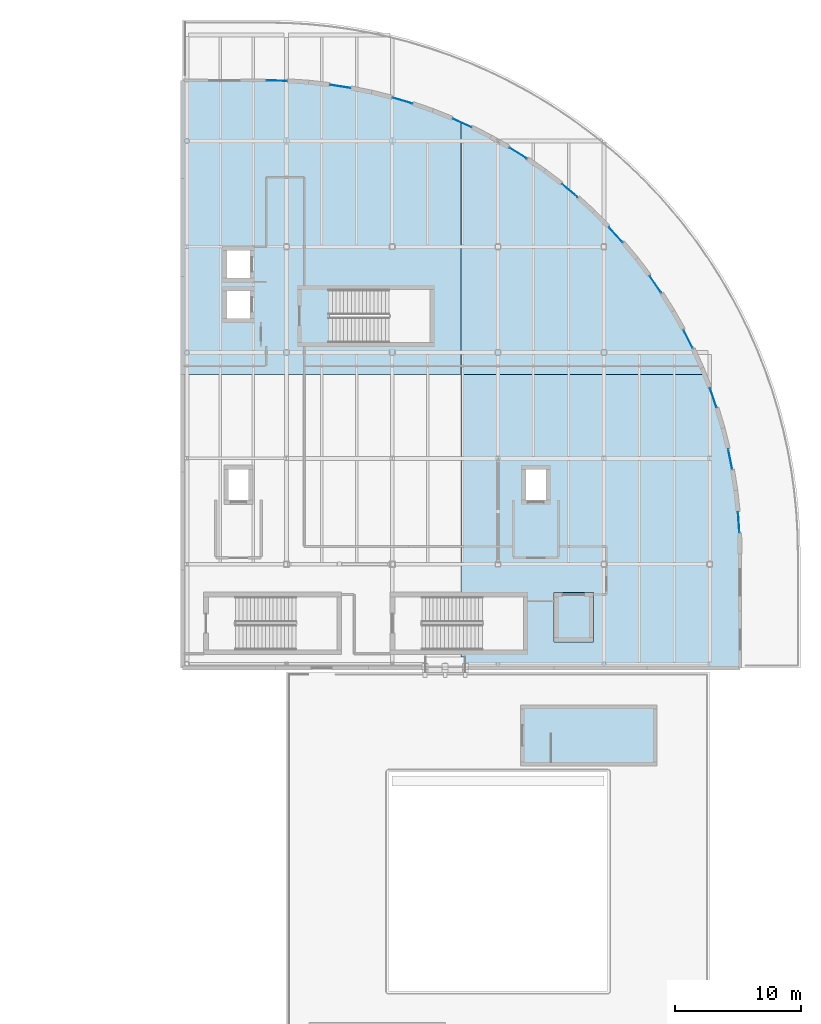
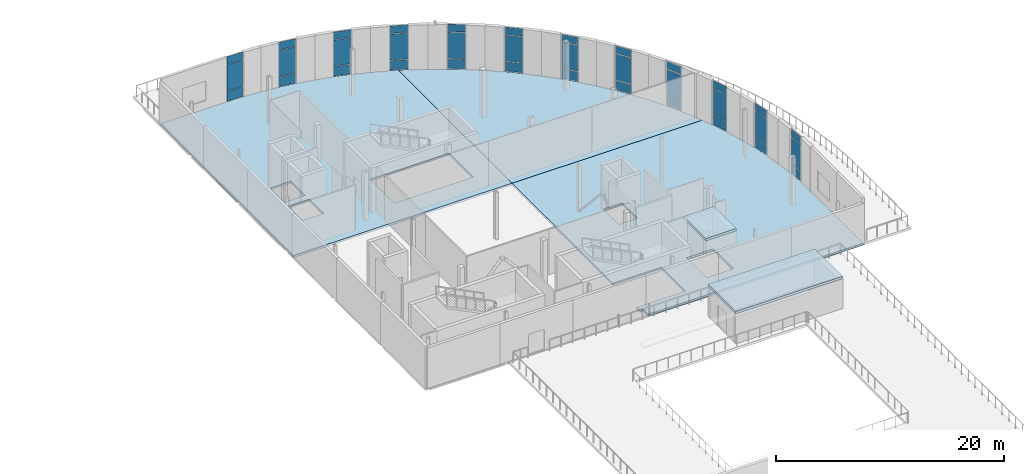
# One storey, part 31 of 57: 36 plates, 5 slabs, 12 elements without a shape of their own.
"""IFC4 building model written with IfcOpenShell, lengths in metres."""

from ifc_helpers import new_model, si_unit, direction, frame, origin, origin_2d, place, context, subcontext, project, spatial, polyline, rectangle, outline, extrude, material, layer, layer_set, type_object, element, aggregate, save


model = new_model("IFC4")

# Units and contexts
model_context = context("Model", 3, precision=1e-05, world=origin(), true_north=direction((0.0, 1.0)))
body_context = subcontext(model_context, "Body", "Model", "MODEL_VIEW")
ifc_project = project(units=[si_unit("LENGTHUNIT", "METRE"), si_unit("AREAUNIT", "SQUARE_METRE"), si_unit("VOLUMEUNIT", "CUBIC_METRE"), si_unit("PLANEANGLEUNIT", "RADIAN"), si_unit("MASSUNIT", "GRAM", prefix="KILO"), si_unit("THERMODYNAMICTEMPERATUREUNIT", "KELVIN")], contexts=[model_context])

# Site, building, storey
site_placement = place(None, origin())
site = spatial("IfcSite", under=ifc_project, at=site_placement, CompositionType="ELEMENT")
building_placement = place(site_placement, origin())
building = spatial("IfcBuilding", under=site, at=building_placement, Name="Lustrewick Department Store", CompositionType="ELEMENT")
storey_placement = place(building_placement, frame((0.0, 0.0, 26.699951171875)))
storey = spatial("IfcBuildingStorey", under=building, at=storey_placement, Name="L06", CompositionType="ELEMENT", Elevation=26.699951171875)

# Curtain wall, plates
ifc_material_1 = material(Name="Thermally broken aluminium 6063-T5", Category="aluminium")
ifc_layer_1 = layer(ifc_material_1, 0.199951171875, Name="Thermally broken aluminium 6063-T5")
ifc_layer_set_1 = layer_set([ifc_layer_1], Name="Thermally broken aluminium 6063-T5")
curtain_wall_type_1 = type_object("IfcCurtainWallType", Name="CW01", PredefinedType="NOTDEFINED", material=ifc_layer_set_1)
curtain_wall_1_placement = place(storey_placement, origin())
curtain_wall_1 = element("IfcCurtainWall", 1, at=curtain_wall_1_placement, inside=storey, type_object=curtain_wall_type_1, Name="L06 V4 Curtain Wall CW01", PredefinedType="NOTDEFINED")
ifc_material_2 = material(Name="Low-E laminated safety glass", Category="glass")
ifc_layer_2 = layer(ifc_material_2, 0.02392578125, Name="Low-E laminated safety glass")
ifc_layer_set_2 = layer_set([ifc_layer_2], Name="Low-E laminated safety glass")
plate_type_1 = type_object("IfcPlateType", Name="CP01", PredefinedType="CURTAIN_PANEL", material=ifc_layer_set_2)
plate_1_placement = place(storey_placement, frame((149.493408203125, 76.665771484375, 0.070068359375), z_axis=(0.0, 0.0, 1.0), x_axis=(-0.45395685334, 0.891023667085, 0.0)))
plate_1 = element("IfcPlate", 2, at=plate_1_placement, type_object=plate_type_1, Name="CW01 panel 1.1", PredefinedType="CURTAIN_PANEL", context=body_context, shape_type="SweptSolid", body=[
    extrude(rectangle(XDim=1.54736328125, YDim=0.02392578125, at=origin_2d()), origin(), (0.0, 0.0, 1.0), 0.9951171875),
])
plate_2_placement = place(storey_placement, frame((149.493408203125, 76.665771484375, 1.135009765625), z_axis=(0.0, 0.0, 1.0), x_axis=(-0.45395685334, 0.891023667085, 0.0)))
plate_2 = element("IfcPlate", 3, at=plate_2_placement, type_object=plate_type_1, Name="CW01 panel 1.2", PredefinedType="CURTAIN_PANEL", context=body_context, shape_type="SweptSolid", body=[
    extrude(rectangle(XDim=1.54736328125, YDim=0.02392578125, at=origin_2d()), origin(), (0.0, 0.0, 1.0), 2.77490234375),
])
plate_3_placement = place(storey_placement, frame((149.493408203125, 76.665771484375, 3.97998046875), z_axis=(0.0, 0.0, 1.0), x_axis=(-0.45395685334, 0.891023667085, 0.0)))
plate_3 = element("IfcPlate", 4, at=plate_3_placement, type_object=plate_type_1, Name="CW01 panel 1.3", PredefinedType="CURTAIN_PANEL", context=body_context, shape_type="SweptSolid", body=[
    extrude(rectangle(XDim=1.54736328125, YDim=0.02392578125, at=origin_2d()), origin(), (0.0, 0.0, 1.0), 0.794921875),
])
aggregate(curtain_wall_1, [plate_1, plate_2, plate_3])

ifc_layer_3 = layer(ifc_material_1, 0.139892578125, Name="Thermally broken aluminium 6063-T5")
ifc_layer_set_3 = layer_set([ifc_layer_3], Name="Thermally broken aluminium 6063-T5")
curtain_wall_type_2 = type_object("IfcCurtainWallType", Name="CW06", PredefinedType="NOTDEFINED", material=ifc_layer_set_3)
curtain_wall_2_placement = place(storey_placement, origin())
curtain_wall_2 = element("IfcCurtainWall", 5, at=curtain_wall_2_placement, inside=storey, type_object=curtain_wall_type_2, Name="L06 V4 Curtain Wall CW06", PredefinedType="NOTDEFINED")
plate_4_placement = place(storey_placement, frame((131.5458984375, 93.8251953125, 0.054931640625), z_axis=(0.0, 0.0, 1.0), x_axis=(-0.910482129642, 0.413548415065, 0.0)))
plate_4 = element("IfcPlate", 6, at=plate_4_placement, type_object=plate_type_1, Name="CW06 panel 1.1", PredefinedType="CURTAIN_PANEL", context=body_context, shape_type="SweptSolid", body=[
    extrude(rectangle(XDim=1.577392578125, YDim=0.02392578125, at=origin_2d()), origin(), (0.0, 0.0, 1.0), 1.017578125),
])
plate_5_placement = place(storey_placement, frame((131.5458984375, 93.8251953125, 1.12744140625), z_axis=(0.0, 0.0, 1.0), x_axis=(-0.910482129642, 0.413548415065, 0.0)))
plate_5 = element("IfcPlate", 7, at=plate_5_placement, type_object=plate_type_1, Name="CW06 panel 1.2", PredefinedType="CURTAIN_PANEL", context=body_context, shape_type="SweptSolid", body=[
    extrude(rectangle(XDim=1.577392578125, YDim=0.02392578125, at=origin_2d()), origin(), (0.0, 0.0, 1.0), 2.7900390625),
])
plate_6_placement = place(storey_placement, frame((131.5458984375, 93.8251953125, 3.97265625), z_axis=(0.0, 0.0, 1.0), x_axis=(-0.910482129642, 0.413548415065, 0.0)))
plate_6 = element("IfcPlate", 8, at=plate_6_placement, type_object=plate_type_1, Name="CW06 panel 1.3", PredefinedType="CURTAIN_PANEL", context=body_context, shape_type="SweptSolid", body=[
    extrude(rectangle(XDim=1.577392578125, YDim=0.02392578125, at=origin_2d()), origin(), (0.0, 0.0, 1.0), 0.8173828125),
])
aggregate(curtain_wall_2, [plate_4, plate_5, plate_6])

ifc_layer_4 = layer(ifc_material_1, 0.179931640625, Name="Thermally broken aluminium 6063-T5")
ifc_layer_set_4 = layer_set([ifc_layer_4], Name="Thermally broken aluminium 6063-T5")
curtain_wall_type_3 = type_object("IfcCurtainWallType", Name="CW02", PredefinedType="NOTDEFINED", material=ifc_layer_set_4)
curtain_wall_3_placement = place(storey_placement, origin())
curtain_wall_3 = element("IfcCurtainWall", 9, at=curtain_wall_3_placement, inside=storey, type_object=curtain_wall_type_3, Name="L06 V4 Curtain Wall CW02", PredefinedType="NOTDEFINED")
ifc_layer_5 = layer(ifc_material_2, 0.02587890625, Name="Low-E laminated safety glass")
ifc_layer_set_5 = layer_set([ifc_layer_5], Name="Low-E laminated safety glass")
plate_type_2 = type_object("IfcPlateType", Name="CP02", PredefinedType="CURTAIN_PANEL", material=ifc_layer_set_5)
plate_7_placement = place(storey_placement, frame((146.8994140625, 81.007080078125, 0.065185546875), z_axis=(0.0, 0.0, 1.0), x_axis=(-0.569518106815, 0.821978786837, 0.0)))
plate_7 = element("IfcPlate", 10, at=plate_7_placement, type_object=plate_type_2, Name="CW02 panel 1.1", PredefinedType="CURTAIN_PANEL", context=body_context, shape_type="SweptSolid", body=[
    extrude(rectangle(XDim=1.557373046875, YDim=0.02587890625, at=origin_2d()), origin(), (0.0, 0.0, 1.0), 1.00244140625),
])
plate_8_placement = place(storey_placement, frame((146.8994140625, 81.007080078125, 1.13232421875), z_axis=(0.0, 0.0, 1.0), x_axis=(-0.569518106815, 0.821978786837, 0.0)))
plate_8 = element("IfcPlate", 11, at=plate_8_placement, type_object=plate_type_2, Name="CW02 panel 1.2", PredefinedType="CURTAIN_PANEL", context=body_context, shape_type="SweptSolid", body=[
    extrude(rectangle(XDim=1.557373046875, YDim=0.02587890625, at=origin_2d()), origin(), (0.0, 0.0, 1.0), 2.780029296875),
])
plate_9_placement = place(storey_placement, frame((146.8994140625, 81.007080078125, 3.9775390625), z_axis=(0.0, 0.0, 1.0), x_axis=(-0.569518106815, 0.821978786837, 0.0)))
plate_9 = element("IfcPlate", 12, at=plate_9_placement, type_object=plate_type_2, Name="CW02 panel 1.3", PredefinedType="CURTAIN_PANEL", context=body_context, shape_type="SweptSolid", body=[
    extrude(rectangle(XDim=1.557373046875, YDim=0.02587890625, at=origin_2d()), origin(), (0.0, 0.0, 1.0), 0.802490234375),
])
aggregate(curtain_wall_3, [plate_7, plate_8, plate_9])

ifc_layer_6 = layer(ifc_material_1, 0.1298828125, Name="Thermally broken aluminium 6063-T5")
ifc_layer_set_6 = layer_set([ifc_layer_6], Name="Thermally broken aluminium 6063-T5")
curtain_wall_type_4 = type_object("IfcCurtainWallType", Name="CW07", PredefinedType="NOTDEFINED", material=ifc_layer_set_6)
curtain_wall_4_placement = place(storey_placement, origin())
curtain_wall_4 = element("IfcCurtainWall", 13, at=curtain_wall_4_placement, inside=storey, type_object=curtain_wall_type_4, Name="L06 V4 Curtain Wall CW07", PredefinedType="NOTDEFINED")
plate_10_placement = place(storey_placement, frame((126.81103515625, 95.602294921875, 0.054931640625), z_axis=(0.0, 0.0, 1.0), x_axis=(-0.957744687401, 0.287619738117, 0.0)))
plate_10 = element("IfcPlate", 14, at=plate_10_placement, type_object=plate_type_2, Name="CW07 panel 1.1", PredefinedType="CURTAIN_PANEL", context=body_context, shape_type="SweptSolid", body=[
    extrude(rectangle(XDim=1.577392578125, YDim=0.02587890625, at=origin_2d()), origin(), (0.0, 0.0, 1.0), 1.017578125),
])
plate_11_placement = place(storey_placement, frame((126.81103515625, 95.602294921875, 1.12744140625), z_axis=(0.0, 0.0, 1.0), x_axis=(-0.957744687401, 0.287619738117, 0.0)))
plate_11 = element("IfcPlate", 15, at=plate_11_placement, type_object=plate_type_2, Name="CW07 panel 1.2", PredefinedType="CURTAIN_PANEL", context=body_context, shape_type="SweptSolid", body=[
    extrude(rectangle(XDim=1.577392578125, YDim=0.02587890625, at=origin_2d()), origin(), (0.0, 0.0, 1.0), 2.7900390625),
])
plate_12_placement = place(storey_placement, frame((126.81103515625, 95.602294921875, 3.97265625), z_axis=(0.0, 0.0, 1.0), x_axis=(-0.957744687401, 0.287619738117, 0.0)))
plate_12 = element("IfcPlate", 16, at=plate_12_placement, type_object=plate_type_2, Name="CW07 panel 1.3", PredefinedType="CURTAIN_PANEL", context=body_context, shape_type="SweptSolid", body=[
    extrude(rectangle(XDim=1.577392578125, YDim=0.02587890625, at=origin_2d()), origin(), (0.0, 0.0, 1.0), 0.8173828125),
])
aggregate(curtain_wall_4, [plate_10, plate_11, plate_12])

ifc_layer_7 = layer(ifc_material_1, 0.159912109375, Name="Thermally broken aluminium 6063-T5")
ifc_layer_set_7 = layer_set([ifc_layer_7], Name="Thermally broken aluminium 6063-T5")
curtain_wall_type_5 = type_object("IfcCurtainWallType", Name="CW13", PredefinedType="NOTDEFINED", material=ifc_layer_set_7)
curtain_wall_5_placement = place(storey_placement, origin())
curtain_wall_5 = element("IfcCurtainWall", 17, at=curtain_wall_5_placement, inside=storey, type_object=curtain_wall_type_5, Name="L06 V4 Curtain Wall CW13", PredefinedType="NOTDEFINED")
ifc_layer_8 = layer(ifc_material_2, 0.028076171875, Name="Low-E laminated safety glass")
ifc_layer_set_8 = layer_set([ifc_layer_8], Name="Low-E laminated safety glass")
plate_type_3 = type_object("IfcPlateType", Name="CP03", PredefinedType="CURTAIN_PANEL", material=ifc_layer_set_8)
plate_13_placement = place(storey_placement, frame((153.50537109375, 62.128662109375, 0.06005859375), z_axis=(0.0, 0.0, 1.0), x_axis=(-0.067266366798, 0.997735052956, 0.0)))
plate_13 = element("IfcPlate", 18, at=plate_13_placement, type_object=plate_type_3, Name="CW13 panel 1.1", PredefinedType="CURTAIN_PANEL", context=body_context, shape_type="SweptSolid", body=[
    extrude(rectangle(XDim=1.5673828125, YDim=0.028076171875, at=origin_2d()), origin(), (0.0, 0.0, 1.0), 1.010009765625),
])
plate_14_placement = place(storey_placement, frame((153.50537109375, 62.128662109375, 1.1298828125), z_axis=(0.0, 0.0, 1.0), x_axis=(-0.067266366798, 0.997735052956, 0.0)))
plate_14 = element("IfcPlate", 19, at=plate_14_placement, type_object=plate_type_3, Name="CW13 panel 1.2", PredefinedType="CURTAIN_PANEL", context=body_context, shape_type="SweptSolid", body=[
    extrude(rectangle(XDim=1.5673828125, YDim=0.028076171875, at=origin_2d()), origin(), (0.0, 0.0, 1.0), 2.784912109375),
])
plate_15_placement = place(storey_placement, frame((153.50537109375, 62.128662109375, 3.97509765625), z_axis=(0.0, 0.0, 1.0), x_axis=(-0.067266366798, 0.997735052956, 0.0)))
plate_15 = element("IfcPlate", 20, at=plate_15_placement, type_object=plate_type_3, Name="CW13 panel 1.3", PredefinedType="CURTAIN_PANEL", context=body_context, shape_type="SweptSolid", body=[
    extrude(rectangle(XDim=1.5673828125, YDim=0.028076171875, at=origin_2d()), origin(), (0.0, 0.0, 1.0), 0.81005859375),
])
aggregate(curtain_wall_5, [plate_13, plate_14, plate_15])

ifc_layer_9 = layer(ifc_material_1, 0.169921875, Name="Thermally broken aluminium 6063-T5")
ifc_layer_set_9 = layer_set([ifc_layer_9], Name="Thermally broken aluminium 6063-T5")
curtain_wall_type_6 = type_object("IfcCurtainWallType", Name="CW03", PredefinedType="NOTDEFINED", material=ifc_layer_set_9)
curtain_wall_6_placement = place(storey_placement, origin())
curtain_wall_6 = element("IfcCurtainWall", 21, at=curtain_wall_6_placement, inside=storey, type_object=curtain_wall_type_6, Name="L06 V4 Curtain Wall CW03", PredefinedType="NOTDEFINED")
plate_16_placement = place(storey_placement, frame((143.746337890625, 84.961181640625, 0.065185546875), z_axis=(0.0, 0.0, 1.0), x_axis=(-0.6746585171, 0.738129992145, 0.0)))
plate_16 = element("IfcPlate", 22, at=plate_16_placement, type_object=plate_type_3, Name="CW03 panel 1.1", PredefinedType="CURTAIN_PANEL", context=body_context, shape_type="SweptSolid", body=[
    extrude(rectangle(XDim=1.557373046875, YDim=0.028076171875, at=origin_2d()), origin(), (0.0, 0.0, 1.0), 1.00244140625),
])
plate_17_placement = place(storey_placement, frame((143.746337890625, 84.961181640625, 1.13232421875), z_axis=(0.0, 0.0, 1.0), x_axis=(-0.6746585171, 0.738129992145, 0.0)))
plate_17 = element("IfcPlate", 23, at=plate_17_placement, type_object=plate_type_3, Name="CW03 panel 1.2", PredefinedType="CURTAIN_PANEL", context=body_context, shape_type="SweptSolid", body=[
    extrude(rectangle(XDim=1.557373046875, YDim=0.028076171875, at=origin_2d()), origin(), (0.0, 0.0, 1.0), 2.780029296875),
])
plate_18_placement = place(storey_placement, frame((143.746337890625, 84.961181640625, 3.9775390625), z_axis=(0.0, 0.0, 1.0), x_axis=(-0.6746585171, 0.738129992145, 0.0)))
plate_18 = element("IfcPlate", 24, at=plate_18_placement, type_object=plate_type_3, Name="CW03 panel 1.3", PredefinedType="CURTAIN_PANEL", context=body_context, shape_type="SweptSolid", body=[
    extrude(rectangle(XDim=1.557373046875, YDim=0.028076171875, at=origin_2d()), origin(), (0.0, 0.0, 1.0), 0.802490234375),
])
aggregate(curtain_wall_6, [plate_16, plate_17, plate_18])

ifc_layer_10 = layer(ifc_material_1, 0.1201171875, Name="Thermally broken aluminium 6063-T5")
ifc_layer_set_10 = layer_set([ifc_layer_10], Name="Thermally broken aluminium 6063-T5")
curtain_wall_type_7 = type_object("IfcCurtainWallType", Name="CW08", PredefinedType="NOTDEFINED", material=ifc_layer_set_10)
curtain_wall_7_placement = place(storey_placement, origin())
curtain_wall_7 = element("IfcCurtainWall", 25, at=curtain_wall_7_placement, inside=storey, type_object=curtain_wall_type_7, Name="L06 V4 Curtain Wall CW08", PredefinedType="NOTDEFINED")
plate_19_placement = place(storey_placement, frame((121.88037109375, 96.727783203125, 0.050048828125), z_axis=(0.0, 0.0, 1.0), x_axis=(-0.987692705493, 0.156406903669, 0.0)))
plate_19 = element("IfcPlate", 26, at=plate_19_placement, type_object=plate_type_3, Name="CW08 panel 1.1", PredefinedType="CURTAIN_PANEL", context=body_context, shape_type="SweptSolid", body=[
    extrude(rectangle(XDim=1.587158203125, YDim=0.028076171875, at=origin_2d()), origin(), (0.0, 0.0, 1.0), 1.02490234375),
])
plate_20_placement = place(storey_placement, frame((121.88037109375, 96.727783203125, 1.125), z_axis=(0.0, 0.0, 1.0), x_axis=(-0.987692705493, 0.156406903669, 0.0)))
plate_20 = element("IfcPlate", 27, at=plate_20_placement, type_object=plate_type_3, Name="CW08 panel 1.2", PredefinedType="CURTAIN_PANEL", context=body_context, shape_type="SweptSolid", body=[
    extrude(rectangle(XDim=1.587158203125, YDim=0.028076171875, at=origin_2d()), origin(), (0.0, 0.0, 1.0), 2.794921875),
])
plate_21_placement = place(storey_placement, frame((121.88037109375, 96.727783203125, 3.97021484375), z_axis=(0.0, 0.0, 1.0), x_axis=(-0.987692705493, 0.156406903669, 0.0)))
plate_21 = element("IfcPlate", 28, at=plate_21_placement, type_object=plate_type_3, Name="CW08 panel 1.3", PredefinedType="CURTAIN_PANEL", context=body_context, shape_type="SweptSolid", body=[
    extrude(rectangle(XDim=1.587158203125, YDim=0.028076171875, at=origin_2d()), origin(), (0.0, 0.0, 1.0), 0.824951171875),
])
aggregate(curtain_wall_7, [plate_19, plate_20, plate_21])

ifc_layer_11 = layer(ifc_material_1, 0.14990234375, Name="Thermally broken aluminium 6063-T5")
ifc_layer_set_11 = layer_set([ifc_layer_11], Name="Thermally broken aluminium 6063-T5")
curtain_wall_type_8 = type_object("IfcCurtainWallType", Name="CW14", PredefinedType="NOTDEFINED", material=ifc_layer_set_11)
curtain_wall_8_placement = place(storey_placement, origin())
curtain_wall_8 = element("IfcCurtainWall", 29, at=curtain_wall_8_placement, inside=storey, type_object=curtain_wall_type_8, Name="L06 V4 Curtain Wall CW14", PredefinedType="NOTDEFINED")
ifc_material_3 = material(Name="Tinted ceramic spandrel safety glass", Category="glass")
ifc_layer_12 = layer(ifc_material_3, 0.030029296875, Name="Tinted ceramic spandrel safety glass")
ifc_layer_set_12 = layer_set([ifc_layer_12], Name="Tinted ceramic spandrel safety glass")
plate_type_4 = type_object("IfcPlateType", Name="CP04", PredefinedType="CURTAIN_PANEL", material=ifc_layer_set_12)
plate_22_placement = place(storey_placement, frame((152.82666015625, 67.14013671875, 0.06005859375), z_axis=(0.0, 0.0, 1.0), x_axis=(-0.200604371061, 0.979672336198, 0.0)))
plate_22 = element("IfcPlate", 30, at=plate_22_placement, type_object=plate_type_4, Name="CW14 panel 1.1", PredefinedType="CURTAIN_PANEL", context=body_context, shape_type="SweptSolid", body=[
    extrude(rectangle(XDim=1.5673828125, YDim=0.030029296875, at=origin_2d()), origin(), (0.0, 0.0, 1.0), 1.010009765625),
])
plate_23_placement = place(storey_placement, frame((152.82666015625, 67.14013671875, 1.1298828125), z_axis=(0.0, 0.0, 1.0), x_axis=(-0.200604371061, 0.979672336198, 0.0)))
plate_23 = element("IfcPlate", 31, at=plate_23_placement, type_object=plate_type_4, Name="CW14 panel 1.2", PredefinedType="CURTAIN_PANEL", context=body_context, shape_type="SweptSolid", body=[
    extrude(rectangle(XDim=1.5673828125, YDim=0.030029296875, at=origin_2d()), origin(), (0.0, 0.0, 1.0), 2.784912109375),
])
plate_24_placement = place(storey_placement, frame((152.82666015625, 67.14013671875, 3.97509765625), z_axis=(0.0, 0.0, 1.0), x_axis=(-0.200604371061, 0.979672336198, 0.0)))
plate_24 = element("IfcPlate", 32, at=plate_24_placement, type_object=plate_type_4, Name="CW14 panel 1.3", PredefinedType="CURTAIN_PANEL", context=body_context, shape_type="SweptSolid", body=[
    extrude(rectangle(XDim=1.5673828125, YDim=0.030029296875, at=origin_2d()), origin(), (0.0, 0.0, 1.0), 0.81005859375),
])
aggregate(curtain_wall_8, [plate_22, plate_23, plate_24])

ifc_layer_13 = layer(ifc_material_1, 0.159912109375, Name="Thermally broken aluminium 6063-T5")
ifc_layer_set_13 = layer_set([ifc_layer_13], Name="Thermally broken aluminium 6063-T5")
curtain_wall_type_9 = type_object("IfcCurtainWallType", Name="CW04", PredefinedType="NOTDEFINED", material=ifc_layer_set_13)
curtain_wall_9_placement = place(storey_placement, origin())
curtain_wall_9 = element("IfcCurtainWall", 33, at=curtain_wall_9_placement, inside=storey, type_object=curtain_wall_type_9, Name="L06 V4 Curtain Wall CW04", PredefinedType="NOTDEFINED")
plate_25_placement = place(storey_placement, frame((140.0908203125, 88.456298828125, 0.06005859375), z_axis=(0.0, 0.0, 1.0), x_axis=(-0.767642902306, 0.640877815608, 0.0)))
plate_25 = element("IfcPlate", 34, at=plate_25_placement, type_object=plate_type_4, Name="CW04 panel 1.1", PredefinedType="CURTAIN_PANEL", context=body_context, shape_type="SweptSolid", body=[
    extrude(rectangle(XDim=1.5673828125, YDim=0.030029296875, at=origin_2d()), origin(), (0.0, 0.0, 1.0), 1.010009765625),
])
plate_26_placement = place(storey_placement, frame((140.0908203125, 88.456298828125, 1.1298828125), z_axis=(0.0, 0.0, 1.0), x_axis=(-0.767642902306, 0.640877815608, 0.0)))
plate_26 = element("IfcPlate", 35, at=plate_26_placement, type_object=plate_type_4, Name="CW04 panel 1.2", PredefinedType="CURTAIN_PANEL", context=body_context, shape_type="SweptSolid", body=[
    extrude(rectangle(XDim=1.5673828125, YDim=0.030029296875, at=origin_2d()), origin(), (0.0, 0.0, 1.0), 2.784912109375),
])
plate_27_placement = place(storey_placement, frame((140.0908203125, 88.456298828125, 3.97509765625), z_axis=(0.0, 0.0, 1.0), x_axis=(-0.767642902306, 0.640877815608, 0.0)))
plate_27 = element("IfcPlate", 36, at=plate_27_placement, type_object=plate_type_4, Name="CW04 panel 1.3", PredefinedType="CURTAIN_PANEL", context=body_context, shape_type="SweptSolid", body=[
    extrude(rectangle(XDim=1.5673828125, YDim=0.030029296875, at=origin_2d()), origin(), (0.0, 0.0, 1.0), 0.81005859375),
])
aggregate(curtain_wall_9, [plate_25, plate_26, plate_27])

ifc_layer_14 = layer(ifc_material_1, 0.110107421875, Name="Thermally broken aluminium 6063-T5")
ifc_layer_set_14 = layer_set([ifc_layer_14], Name="Thermally broken aluminium 6063-T5")
curtain_wall_type_10 = type_object("IfcCurtainWallType", Name="CW09", PredefinedType="NOTDEFINED", material=ifc_layer_set_14)
curtain_wall_10_placement = place(storey_placement, origin())
curtain_wall_10 = element("IfcCurtainWall", 37, at=curtain_wall_10_placement, inside=storey, type_object=curtain_wall_type_10, Name="L06 V4 Curtain Wall CW09", PredefinedType="NOTDEFINED")
plate_28_placement = place(storey_placement, frame((116.843505859375, 97.18115234375, 0.050048828125), z_axis=(0.0, 0.0, 1.0), x_axis=(-0.999747706902, 0.022461579285, 0.0)))
plate_28 = element("IfcPlate", 38, at=plate_28_placement, type_object=plate_type_4, Name="CW09 panel 1.1", PredefinedType="CURTAIN_PANEL", context=body_context, shape_type="SweptSolid", body=[
    extrude(rectangle(XDim=1.58740234375, YDim=0.030029296875, at=origin_2d()), origin(), (0.0, 0.0, 1.0), 1.02490234375),
])
plate_29_placement = place(storey_placement, frame((116.843505859375, 97.18115234375, 1.125), z_axis=(0.0, 0.0, 1.0), x_axis=(-0.999747706902, 0.022461579285, 0.0)))
plate_29 = element("IfcPlate", 39, at=plate_29_placement, type_object=plate_type_4, Name="CW09 panel 1.2", PredefinedType="CURTAIN_PANEL", context=body_context, shape_type="SweptSolid", body=[
    extrude(rectangle(XDim=1.58740234375, YDim=0.030029296875, at=origin_2d()), origin(), (0.0, 0.0, 1.0), 2.794921875),
])
plate_30_placement = place(storey_placement, frame((116.843505859375, 97.18115234375, 3.97021484375), z_axis=(0.0, 0.0, 1.0), x_axis=(-0.999747706902, 0.022461579285, 0.0)))
plate_30 = element("IfcPlate", 40, at=plate_30_placement, type_object=plate_type_4, Name="CW09 panel 1.3", PredefinedType="CURTAIN_PANEL", context=body_context, shape_type="SweptSolid", body=[
    extrude(rectangle(XDim=1.58740234375, YDim=0.030029296875, at=origin_2d()), origin(), (0.0, 0.0, 1.0), 0.824951171875),
])
aggregate(curtain_wall_10, [plate_28, plate_29, plate_30])

ifc_layer_15 = layer(ifc_material_1, 0.139892578125, Name="Thermally broken aluminium 6063-T5")
ifc_layer_set_15 = layer_set([ifc_layer_15], Name="Thermally broken aluminium 6063-T5")
curtain_wall_type_11 = type_object("IfcCurtainWallType", Name="CW15", PredefinedType="NOTDEFINED", material=ifc_layer_set_15)
curtain_wall_11_placement = place(storey_placement, origin())
curtain_wall_11 = element("IfcCurtainWall", 41, at=curtain_wall_11_placement, inside=storey, type_object=curtain_wall_type_11, Name="L06 V4 Curtain Wall CW15", PredefinedType="NOTDEFINED")
ifc_material_4 = material(Name="Low-E triple laminated safety glass", Category="glass")
ifc_layer_16 = layer(ifc_material_4, 0.031982421875, Name="Low-E triple laminated safety glass")
ifc_layer_set_16 = layer_set([ifc_layer_16], Name="Low-E triple laminated safety glass")
plate_type_5 = type_object("IfcPlateType", Name="CP05", PredefinedType="CURTAIN_PANEL", material=ifc_layer_set_16)
plate_31_placement = place(storey_placement, frame((151.48095703125, 72.015380859375, 0.054931640625), z_axis=(0.0, 0.0, 1.0), x_axis=(-0.330273869835, 0.943885147094, 0.0)))
plate_31 = element("IfcPlate", 42, at=plate_31_placement, type_object=plate_type_5, Name="CW15 panel 1.1", PredefinedType="CURTAIN_PANEL", context=body_context, shape_type="SweptSolid", body=[
    extrude(rectangle(XDim=1.577392578125, YDim=0.031982421875, at=origin_2d()), origin(), (0.0, 0.0, 1.0), 1.017578125),
])
plate_32_placement = place(storey_placement, frame((151.48095703125, 72.015380859375, 1.12744140625), z_axis=(0.0, 0.0, 1.0), x_axis=(-0.330273869835, 0.943885147094, 0.0)))
plate_32 = element("IfcPlate", 43, at=plate_32_placement, type_object=plate_type_5, Name="CW15 panel 1.2", PredefinedType="CURTAIN_PANEL", context=body_context, shape_type="SweptSolid", body=[
    extrude(rectangle(XDim=1.577392578125, YDim=0.031982421875, at=origin_2d()), origin(), (0.0, 0.0, 1.0), 2.7900390625),
])
plate_33_placement = place(storey_placement, frame((151.48095703125, 72.015380859375, 3.97265625), z_axis=(0.0, 0.0, 1.0), x_axis=(-0.330273869835, 0.943885147094, 0.0)))
plate_33 = element("IfcPlate", 44, at=plate_33_placement, type_object=plate_type_5, Name="CW15 panel 1.3", PredefinedType="CURTAIN_PANEL", context=body_context, shape_type="SweptSolid", body=[
    extrude(rectangle(XDim=1.577392578125, YDim=0.031982421875, at=origin_2d()), origin(), (0.0, 0.0, 1.0), 0.8173828125),
])
aggregate(curtain_wall_11, [plate_31, plate_32, plate_33])

ifc_layer_17 = layer(ifc_material_1, 0.14990234375, Name="Thermally broken aluminium 6063-T5")
ifc_layer_set_17 = layer_set([ifc_layer_17], Name="Thermally broken aluminium 6063-T5")
curtain_wall_type_12 = type_object("IfcCurtainWallType", Name="CW05", PredefinedType="NOTDEFINED", material=ifc_layer_set_17)
curtain_wall_12_placement = place(storey_placement, origin())
curtain_wall_12 = element("IfcCurtainWall", 45, at=curtain_wall_12_placement, inside=storey, type_object=curtain_wall_type_12, Name="L06 V4 Curtain Wall CW05", PredefinedType="NOTDEFINED")
plate_34_placement = place(storey_placement, frame((135.999267578125, 91.428955078125, 0.06005859375), z_axis=(0.0, 0.0, 1.0), x_axis=(-0.846727325238, 0.532027101467, 0.0)))
plate_34 = element("IfcPlate", 46, at=plate_34_placement, type_object=plate_type_5, Name="CW05 panel 1.1", PredefinedType="CURTAIN_PANEL", context=body_context, shape_type="SweptSolid", body=[
    extrude(rectangle(XDim=1.5673828125, YDim=0.031982421875, at=origin_2d()), origin(), (0.0, 0.0, 1.0), 1.010009765625),
])
plate_35_placement = place(storey_placement, frame((135.999267578125, 91.428955078125, 1.1298828125), z_axis=(0.0, 0.0, 1.0), x_axis=(-0.846727325238, 0.532027101467, 0.0)))
plate_35 = element("IfcPlate", 47, at=plate_35_placement, type_object=plate_type_5, Name="CW05 panel 1.2", PredefinedType="CURTAIN_PANEL", context=body_context, shape_type="SweptSolid", body=[
    extrude(rectangle(XDim=1.5673828125, YDim=0.031982421875, at=origin_2d()), origin(), (0.0, 0.0, 1.0), 2.784912109375),
])
plate_36_placement = place(storey_placement, frame((135.999267578125, 91.428955078125, 3.97509765625), z_axis=(0.0, 0.0, 1.0), x_axis=(-0.846727325238, 0.532027101467, 0.0)))
plate_36 = element("IfcPlate", 48, at=plate_36_placement, type_object=plate_type_5, Name="CW05 panel 1.3", PredefinedType="CURTAIN_PANEL", context=body_context, shape_type="SweptSolid", body=[
    extrude(rectangle(XDim=1.5673828125, YDim=0.031982421875, at=origin_2d()), origin(), (0.0, 0.0, 1.0), 0.81005859375),
])
aggregate(curtain_wall_12, [plate_34, plate_35, plate_36])

# Slabs
ifc_material_5 = material(Name="Concrete C30", Category="concrete")
ifc_layer_18 = layer(ifc_material_5, 0.22509765625, Name="Concrete C30")
ifc_layer_set_18 = layer_set([ifc_layer_18], Name="Concrete C30")
slab_type_1 = type_object("IfcSlabType", Name="FS06", PredefinedType="FLOOR", material=ifc_layer_set_18)
slab_1_placement = place(storey_placement, frame((0.0, 0.0, -0.224853515625)))
element("IfcSlab", 49, at=slab_1_placement, inside=storey, type_object=slab_type_1, Name="L06 V4 Floor Slab FS06", PredefinedType="FLOOR", context=body_context, shape_type="SweptSolid", body=[
    extrude(outline(polyline([(151.202392578125, 72.811767578125), (150.77587890625, 73.875), (131.47509765625, 73.875), (131.47509765625, 56.199951171875), (136.39990234375, 56.199951171875), (136.39990234375, 52.0), (131.47509765625, 52.0), (131.47509765625, 51.43505859375), (131.804931640625, 51.43505859375), (131.804931640625, 50.550048828125), (153.60009765625, 50.550048828125), (153.60009765625, 59.60009765625), (153.56201171875, 61.286865234375), (153.448486328125, 62.970458984375), (153.259765625, 64.647216796875), (152.995849609375, 66.313720703125), (152.6572265625, 67.966796875), (152.2451171875, 69.60302734375), (151.759765625, 71.218994140625), (151.202392578125, 72.811767578125)]), holes=[polyline([(141.75, 52.85009765625), (139.050048828125, 52.85009765625), (139.050048828125, 56.35009765625), (141.75, 56.35009765625), (141.75, 52.85009765625)]), polyline([(138.35009765625, 63.75), (136.449951171875, 63.75), (136.449951171875, 66.449951171875), (138.35009765625, 66.449951171875), (138.35009765625, 63.75)])]), origin(), (0.0, 0.0, 1.0), 0.224853515625),
])
slab_2_placement = place(storey_placement, frame((0.0, 0.0, -0.224853515625)))
element("IfcSlab", 50, at=slab_2_placement, inside=storey, type_object=slab_type_1, Name="L06 V4 Floor Slab FS06", PredefinedType="FLOOR", context=body_context, shape_type="SweptSolid", body=[
    extrude(outline(polyline([(109.35009765625, 97.199951171875), (109.35009765625, 73.875), (131.47509765625, 73.875), (131.47509765625, 93.857421875), (130.777587890625, 94.17431640625), (129.211669921875, 94.802490234375), (127.618896484375, 95.359619140625), (126.0029296875, 95.844970703125), (124.36669921875, 96.25732421875), (122.713623046875, 96.595703125), (121.047119140625, 96.859619140625), (119.370361328125, 97.048583984375), (117.68701171875, 97.162109375), (116.0, 97.199951171875), (109.35009765625, 97.199951171875)]), holes=[polyline([(121.02001953125, 76.39990234375), (121.02001953125, 80.60009765625), (129.0, 80.60009765625), (129.0, 76.39990234375), (121.02001953125, 76.39990234375)]), polyline([(112.75, 78.14990234375), (112.75, 80.64990234375), (114.85009765625, 80.64990234375), (114.85009765625, 78.14990234375), (112.75, 78.14990234375)]), polyline([(112.75, 81.35009765625), (112.75, 83.85009765625), (114.85009765625, 83.85009765625), (114.85009765625, 81.35009765625), (112.75, 81.35009765625)])]), origin(), (0.0, 0.0, 1.0), 0.224853515625),
])
slab_3_placement = place(storey_placement, frame((0.0, 0.0, -0.224853515625)))
element("IfcSlab", 51, at=slab_3_placement, inside=storey, type_object=slab_type_1, Name="L06 V4 Floor Slab FS06", PredefinedType="FLOOR", context=body_context, shape_type="SweptSolid", body=[
    extrude(outline(polyline([(132.31396484375, 93.476318359375), (131.47509765625, 93.857421875), (131.47509765625, 73.875), (150.77587890625, 73.875), (150.57421875, 74.377685546875), (149.87646484375, 75.9140625), (149.1103515625, 77.41748046875), (148.277587890625, 78.885009765625), (147.3798828125, 80.313720703125), (146.4189453125, 81.70068359375), (145.39697265625, 83.043212890625), (144.3154296875, 84.33837890625), (143.177001953125, 85.583984375), (141.98388671875, 86.777099609375), (140.738525390625, 87.91552734375), (139.443115234375, 88.996826171875), (138.1005859375, 90.01904296875), (136.713623046875, 90.97998046875), (135.284912109375, 91.877685546875), (133.8173828125, 92.71044921875), (132.31396484375, 93.476318359375)])), origin(), (0.0, 0.0, 1.0), 0.224853515625),
])
ifc_material_6 = material(Name="Concrete C35", Category="concrete")
ifc_layer_19 = layer(ifc_material_6, 0.26806640625, Name="Concrete C35")
ifc_layer_set_19 = layer_set([ifc_layer_19], Name="Concrete C35")
slab_type_2 = type_object("IfcSlabType", Name="RS02", PredefinedType="ROOF", material=ifc_layer_set_19)
slab_4_placement = place(storey_placement, frame((0.0, 0.0, 3.199951171875)))
element("IfcSlab", 52, at=slab_4_placement, inside=storey, type_object=slab_type_2, Name="L06 Stair ST08 Head-House Roof Slab", PredefinedType="ROOF", context=body_context, shape_type="SweptSolid", body=[
    extrude(outline(polyline([(147.02001953125, 42.780029296875), (147.02001953125, 47.6201171875), (136.179931640625, 47.6201171875), (136.179931640625, 42.780029296875), (147.02001953125, 42.780029296875)])), origin(), (0.0, 0.0, 1.0), 0.26806640625),
])
slab_5_placement = place(storey_placement, frame((0.0, 0.0, 4.094970703125)))
element("IfcSlab", 53, at=slab_5_placement, inside=storey, type_object=slab_type_2, Name="L06 Lift GL-04 Overrun Cap Slab", PredefinedType="ROOF", context=body_context, shape_type="SweptSolid", body=[
    extrude(outline(polyline([(141.9599609375, 52.639892578125), (141.9599609375, 56.56005859375), (138.840087890625, 56.56005859375), (138.840087890625, 52.639892578125), (141.9599609375, 52.639892578125)])), origin(), (0.0, 0.0, 1.0), 0.26806640625),
])

save(model, "model.ifc")
